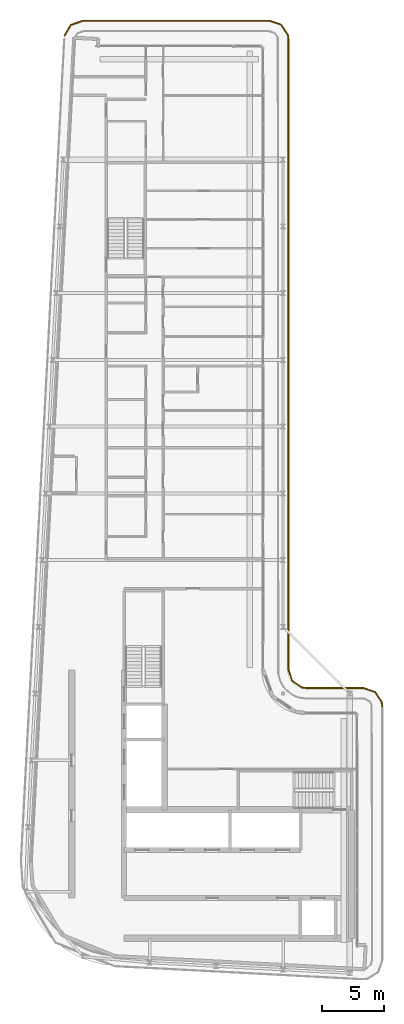
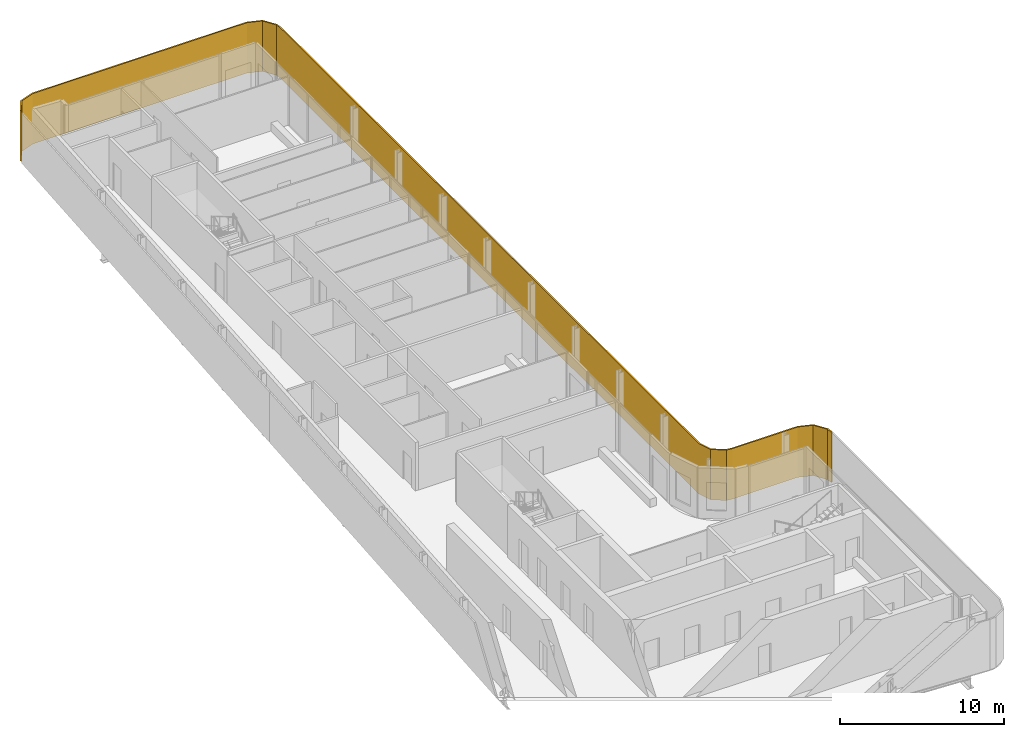
# One storey, part 17 of 18: 1 shading device.
"""IFC4 building model written with IfcOpenShell, lengths in metres."""

from ifc_helpers import new_model, si_unit, direction, frame, origin, place, context, subcontext, project, spatial, polyline, outline, extrude, material, layer, layer_set, type_object, element, save


model = new_model("IFC4")

# Units and contexts
model_context = context("Model", 3, precision=1e-05, world=origin(), true_north=direction((0.0, 1.0)))
body_context = subcontext(model_context, "Body", "Model", "MODEL_VIEW")
ifc_project = project(units=[si_unit("LENGTHUNIT", "METRE"), si_unit("AREAUNIT", "SQUARE_METRE"), si_unit("VOLUMEUNIT", "CUBIC_METRE"), si_unit("PLANEANGLEUNIT", "RADIAN"), si_unit("MASSUNIT", "GRAM", prefix="KILO")], contexts=[model_context])

# Site, building, storey
site_placement = place(None, origin())
site = spatial("IfcSite", under=ifc_project, at=site_placement, CompositionType="ELEMENT")
building_placement = place(site_placement, origin())
building = spatial("IfcBuilding", under=site, at=building_placement, Name="Kheshtan School and Residences Tower", CompositionType="ELEMENT")
storey_placement = place(building_placement, frame((0.0, 0.0, 361.699951171875)))
storey = spatial("IfcBuildingStorey", under=building, at=storey_placement, Name="L85", CompositionType="ELEMENT", Elevation=361.699951171875)

# Shading device
ifc_material = material(Name="Terracotta lattice, extruded ceramic", Category="masonry")
ifc_layer = layer(ifc_material, 0.10009765625)
ifc_layer_set = layer_set([ifc_layer], Name="Loggia screen, terracotta lattice")
shading_device_type = type_object("IfcShadingDeviceType", Name="Loggia screen, terracotta lattice", PredefinedType="USERDEFINED", material=ifc_layer_set)
shading_device_placement = place(storey_placement, origin())
element("IfcShadingDevice", 1, at=shading_device_placement, inside=storey, type_object=shading_device_type, Name="Screen L85 1", ObjectType="SCREEN", PredefinedType="USERDEFINED", context=body_context, shape_type="SweptSolid", body=[
    extrude(outline(polyline([(29.949951171875, 98.783935546875), (30.468017578125, 99.656982421875), (31.423095703125, 100.0), (46.5, 100.0), (47.4130859375, 99.68994140625), (47.948974609375, 98.887939453125), (48.0, 98.5), (48.0, 47.5), (48.31005859375, 46.5869140625), (49.112060546875, 46.051025390625), (49.5, 46.0), (54.10009765625, 46.0), (55.012939453125, 45.68994140625), (55.549072265625, 44.887939453125), (55.60009765625, 44.5), (55.698974609375, 44.512939453125), (55.64501953125, 44.924072265625), (55.076904296875, 45.77392578125), (54.116943359375, 46.10009765625), (49.507080078125, 46.10009765625), (49.14794921875, 46.14697265625), (48.39404296875, 46.65087890625), (48.10009765625, 47.51708984375), (48.10009765625, 98.507080078125), (48.044921875, 98.924072265625), (47.47705078125, 99.77392578125), (46.51708984375, 100.10009765625), (31.406005859375, 100.10009765625), (30.39990234375, 99.739013671875), (29.864013671875, 98.8349609375), (29.949951171875, 98.783935546875)])), origin(), (0.0, 0.0, 1.0), 3.75),
])

save(model, "model.ifc")
